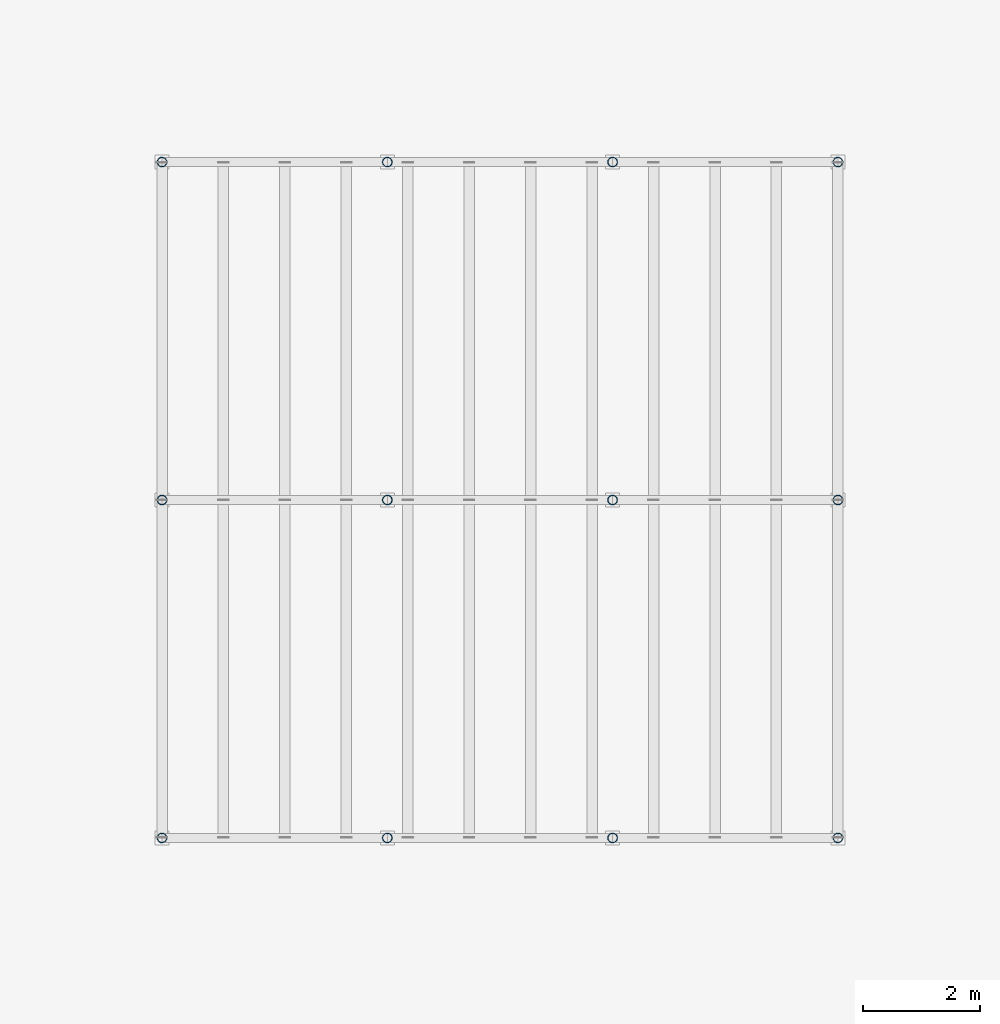
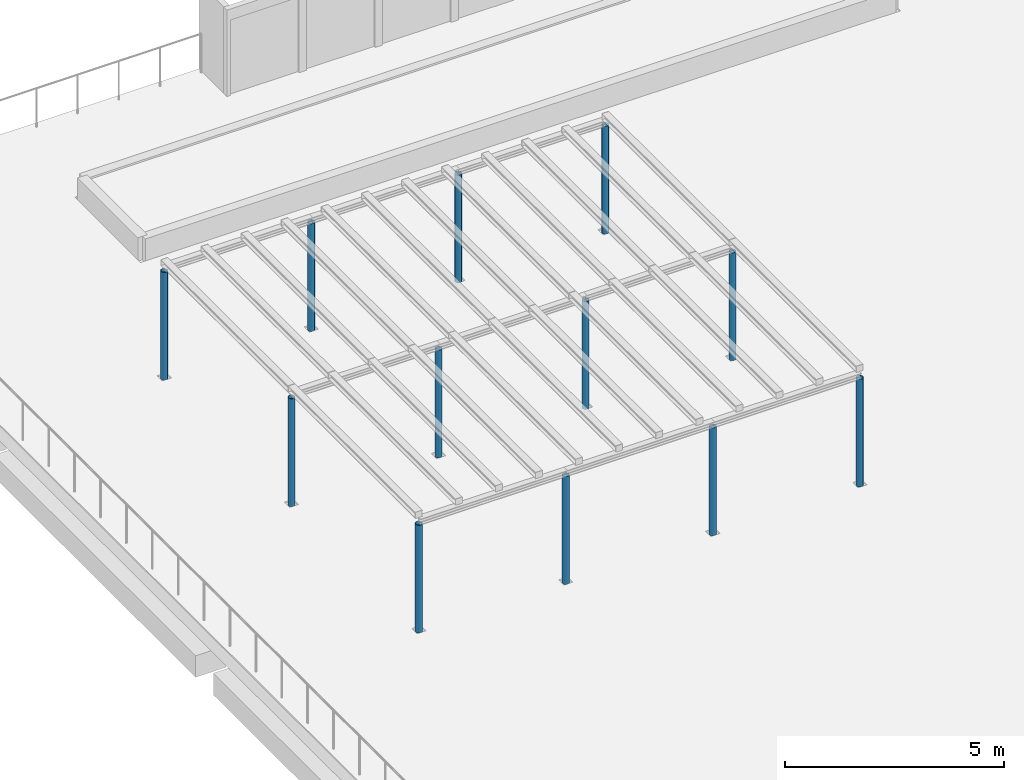
# One storey, part 4 of 28: 12 columns.
"""IFC4 building model written with IfcOpenShell, lengths in metres."""

from ifc_helpers import new_model, si_unit, direction, frame, origin, origin_2d, place, context, subcontext, project, spatial, hollow_circle, extrude, material, material_profile, profile_set, type_object, element, save


model = new_model("IFC4")

# Units and contexts
model_context = context("Model", 3, precision=1e-05, world=origin(), true_north=direction((0.0, 1.0)))
body_context = subcontext(model_context, "Body", "Model", "MODEL_VIEW")
ifc_project = project(units=[si_unit("LENGTHUNIT", "METRE"), si_unit("AREAUNIT", "SQUARE_METRE"), si_unit("VOLUMEUNIT", "CUBIC_METRE"), si_unit("PLANEANGLEUNIT", "RADIAN"), si_unit("MASSUNIT", "GRAM", prefix="KILO")], contexts=[model_context])

# Site, building, storey
site_placement = place(None, origin())
site = spatial("IfcSite", under=ifc_project, at=site_placement, CompositionType="ELEMENT")
building_placement = place(site_placement, origin())
building = spatial("IfcBuilding", under=site, at=building_placement, Name="Qaws Garden Tower", CompositionType="ELEMENT")
storey_placement = place(building_placement, frame((0.0, 0.0, 6.0)))
storey = spatial("IfcBuildingStorey", under=building, at=storey_placement, Name="L01", CompositionType="ELEMENT", Elevation=6.0)

# Columns
ifc_material = material(Name="Steel S355", Category="steel")
ifc_material_profile = material_profile(ifc_material, hollow_circle(Radius=0.084228515625, WallThickness=0.008056640625, at=origin_2d()), Name="Pergola post CHS 168")
ifc_profile_set = profile_set([ifc_material_profile], Name="Steel S355")
column_type = type_object("IfcColumnType", Name="Pergola post CHS 168", PredefinedType="COLUMN", material=ifc_profile_set)
for number, where, z_axis, x_axis, name in (
    (1, (34.199951171875, 78.199951171875, -0.0400390625), (0.0, 0.0, 1.0), (1.0, 0.0, 0.0), "Pergola 1 post 1.1"),
    (2, (38.066650390625, 78.199951171875, -0.0400390625), (0.0, 0.0, 1.0), (1.0, 0.0, 0.0), "Pergola 1 post 1.2"),
    (3, (41.933349609375, 78.199951171875, -0.0400390625), (0.0, 0.0, 1.0), (1.0, 0.0, 0.0), "Pergola 1 post 1.3"),
    (4, (45.800048828125, 78.199951171875, -0.0400390625), (0.0, 0.0, 1.0), (1.0, 0.0, 0.0), "Pergola 1 post 1.4"),
    (5, (34.199951171875, 84.0, -0.0400390625), (0.0, 0.0, 1.0), (1.0, 0.0, 0.0), "Pergola 1 post 2.1"),
    (6, (38.066650390625, 84.0, -0.0400390625), (0.0, 0.0, 1.0), (1.0, 0.0, 0.0), "Pergola 1 post 2.2"),
    (7, (41.933349609375, 84.0, -0.0400390625), (0.0, 0.0, 1.0), (1.0, 0.0, 0.0), "Pergola 1 post 2.3"),
    (8, (45.800048828125, 84.0, -0.0400390625), (0.0, 0.0, 1.0), (1.0, 0.0, 0.0), "Pergola 1 post 2.4"),
    (9, (34.199951171875, 89.800048828125, -0.0400390625), (0.0, 0.0, 1.0), (1.0, 0.0, 0.0), "Pergola 1 post 3.1"),
    (10, (38.066650390625, 89.800048828125, -0.0400390625), (0.0, 0.0, 1.0), (1.0, 0.0, 0.0), "Pergola 1 post 3.2"),
    (11, (41.933349609375, 89.800048828125, -0.0400390625), (0.0, 0.0, 1.0), (1.0, 0.0, 0.0), "Pergola 1 post 3.3"),
    (12, (45.800048828125, 89.800048828125, -0.0400390625), (0.0, 0.0, 1.0), (1.0, 0.0, 0.0), "Pergola 1 post 3.4"),
):
    element("IfcColumn", number, at=place(storey_placement, frame(where, z_axis=z_axis, x_axis=x_axis)), inside=storey, type_object=column_type, Name=name, PredefinedType="COLUMN", context=body_context, shape_type="SweptSolid", body=[
        extrude(hollow_circle(Radius=0.084228515625, WallThickness=0.008056640625, at=origin_2d()), origin(), (0.0, 0.0, 1.0), 3.0),
    ])

save(model, "model.ifc")
